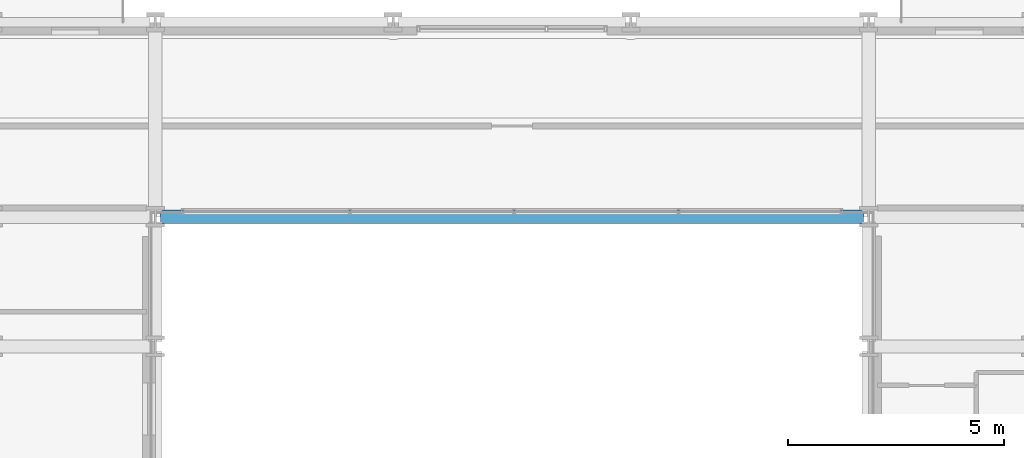
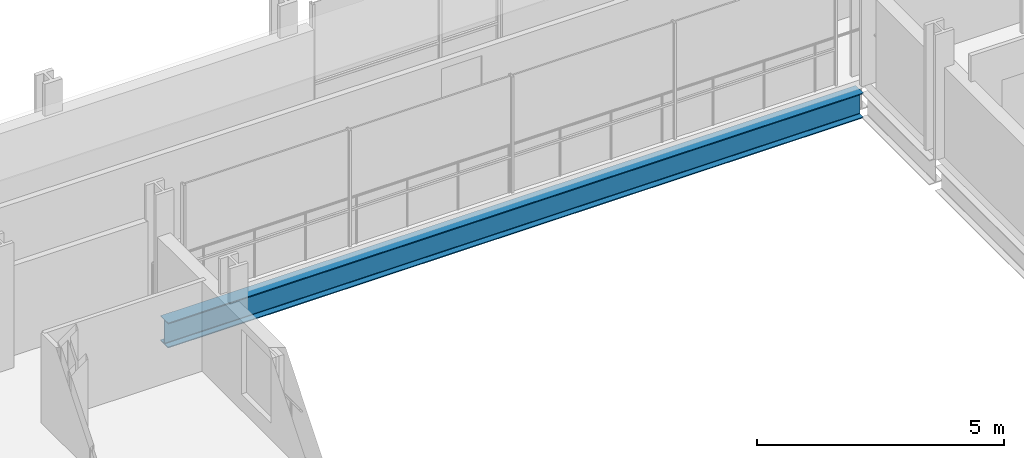
# One storey, part 10 of 41: 1 beam.
"""IFC4 building model written with IfcOpenShell, lengths in metres."""

from ifc_helpers import new_model, si_unit, direction, frame, origin, origin_2d, place, context, subcontext, project, spatial, i_section, extrude, material, material_profile, profile_set, type_object, element, save


model = new_model("IFC4")

# Units and contexts
model_context = context("Model", 3, precision=1e-05, world=origin(), true_north=direction((0.0, 1.0)))
body_context = subcontext(model_context, "Body", "Model", "MODEL_VIEW")
ifc_project = project(units=[si_unit("LENGTHUNIT", "METRE"), si_unit("AREAUNIT", "SQUARE_METRE"), si_unit("VOLUMEUNIT", "CUBIC_METRE"), si_unit("PLANEANGLEUNIT", "RADIAN"), si_unit("MASSUNIT", "GRAM", prefix="KILO")], contexts=[model_context])

# Site, building, storey
site_placement = place(None, origin())
site = spatial("IfcSite", under=ifc_project, at=site_placement, CompositionType="ELEMENT")
building_placement = place(site_placement, origin())
building = spatial("IfcBuilding", under=site, at=building_placement, Name="Brevholm Reach", CompositionType="ELEMENT")
storey_placement = place(building_placement, frame((0.0, 0.0, 49.699951171875)))
storey = spatial("IfcBuildingStorey", under=building, at=storey_placement, Name="L13", CompositionType="ELEMENT", Elevation=49.699951171875)

# Beam
ifc_material = material(Name="Structural Steel S355J2", Category="steel")
ifc_material_profile = material_profile(ifc_material, i_section(OverallWidth=0.30712890625, OverallDepth=0.6201171875, WebThickness=0.01416015625, FlangeThickness=0.023681640625, FilletRadius=0.0166015625, at=origin_2d()), Name="UKB 610x305x179")
ifc_profile_set = profile_set([ifc_material_profile], Name="Structural Steel S355J2")
beam_type = type_object("IfcBeamType", Name="BM-UKB610H", PredefinedType="USERDEFINED", material=ifc_profile_set)
beam_placement = place(storey_placement, frame((21.8701171875, 26.5, -0.5400390625), z_axis=(1.0, 0.0, 0.0), x_axis=(0.0, 1.0, 0.0)))
element("IfcBeam", 1, at=beam_placement, inside=storey, type_object=beam_type, Name="L13 G-06 Framing Beam", ObjectType="GIRDER", PredefinedType="USERDEFINED", context=body_context, shape_type="SweptSolid", body=[
    extrude(i_section(OverallWidth=0.30712890625, OverallDepth=0.6201171875, WebThickness=0.01416015625, FlangeThickness=0.023681640625, FilletRadius=0.0166015625, at=origin_2d()), origin(), (0.0, 0.0, 1.0), 16.259765625),
])

save(model, "model.ifc")
